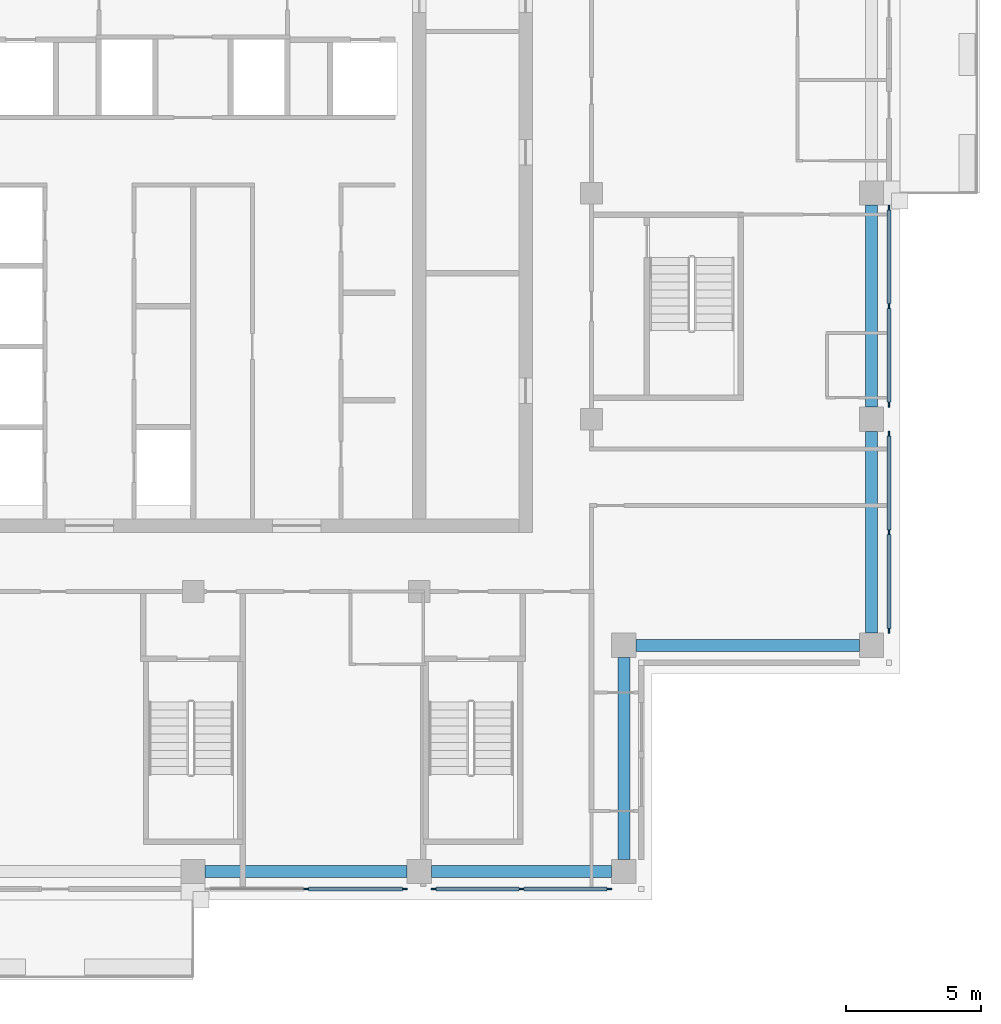
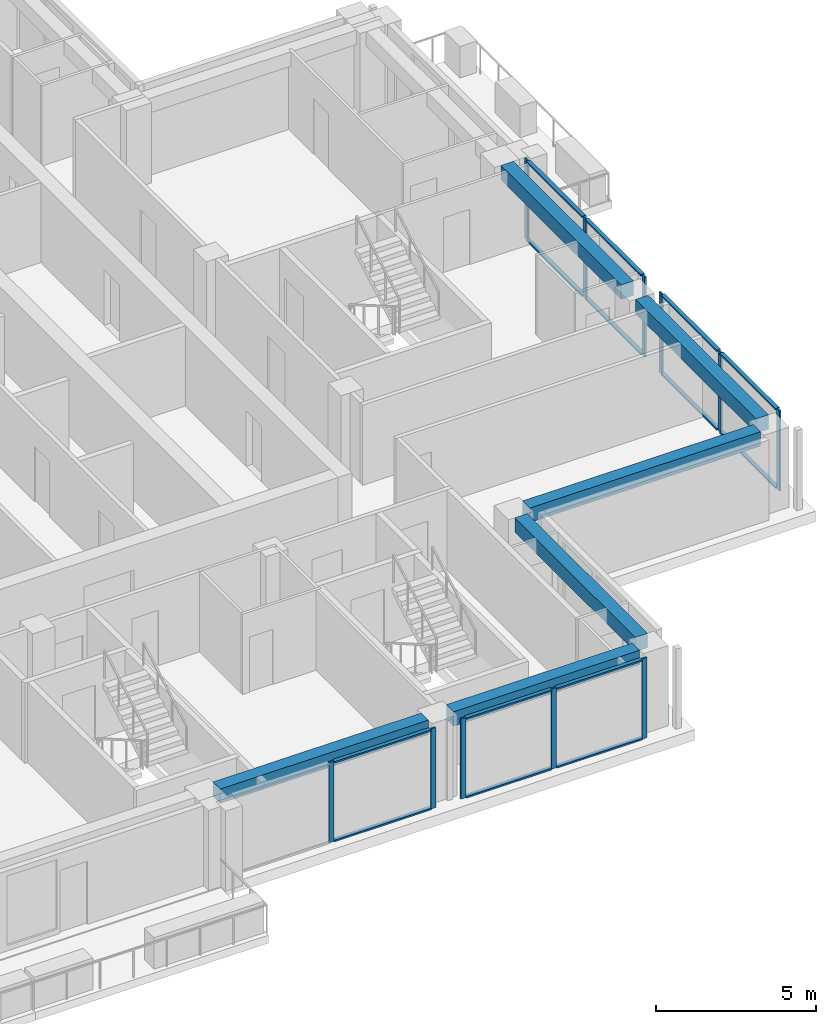
# One storey, part 4 of 15: 25 members, 6 beams, 4 elements without a shape of their own.
"""IFC4 building model written with IfcOpenShell, lengths in metres."""

from ifc_helpers import new_model, si_unit, direction, frame, origin, origin_2d, place, context, subcontext, project, spatial, rectangle, extrude, material, material_profile, profile_set, type_object, element, aggregate, save


model = new_model("IFC4")

# Units and contexts
model_context = context("Model", 3, precision=1e-05, world=origin(), true_north=direction((0.0, 1.0)))
body_context = subcontext(model_context, "Body", "Model", "MODEL_VIEW")
ifc_project = project(units=[si_unit("LENGTHUNIT", "METRE"), si_unit("AREAUNIT", "SQUARE_METRE"), si_unit("VOLUMEUNIT", "CUBIC_METRE"), si_unit("PLANEANGLEUNIT", "RADIAN"), si_unit("MASSUNIT", "GRAM", prefix="KILO")], contexts=[model_context])

# Site, building, storey
site_placement = place(None, origin())
site = spatial("IfcSite", under=ifc_project, at=site_placement, CompositionType="ELEMENT")
building_placement = place(site_placement, origin())
building = spatial("IfcBuilding", under=site, at=building_placement, Name="Vermilion Ogive Tower", CompositionType="ELEMENT")
storey_placement = place(building_placement, frame((0.0, 0.0, 237.25)))
storey = spatial("IfcBuildingStorey", under=building, at=storey_placement, Name="L62", CompositionType="ELEMENT", Elevation=237.25)

# Curtain wall, members
ifc_material_1 = material(Name="Low-iron laminated glazing in aluminium frame", Category="aluminium")
curtain_wall_type = type_object("IfcCurtainWallType", Name="Curtain wall CW7", PredefinedType="NOTDEFINED", material=ifc_material_1)
curtain_wall_1_placement = place(storey_placement, origin())
curtain_wall_1 = element("IfcCurtainWall", 1, at=curtain_wall_1_placement, inside=storey, type_object=curtain_wall_type, Name="Glazed skin S3", PredefinedType="NOTDEFINED")
ifc_material_2 = material(Name="Aluminium mullion", Category="aluminium")
ifc_material_profile_1 = material_profile(ifc_material_2, rectangle(XDim=0.06005859375, YDim=0.179931640625, at=origin_2d()), Name="AL 60x180")
ifc_profile_set_1 = profile_set([ifc_material_profile_1], Name="Aluminium mullion")
member_type_1 = type_object("IfcMemberType", Name="CW7 mullion 60x180", PredefinedType="MULLION", material=ifc_profile_set_1)
member_1_placement = place(storey_placement, frame((4.199951171875, -21.64990234375, 0.0), z_axis=(0.0, 0.0, 1.0), x_axis=(0.0, 1.0, 0.0)))
member_1 = element("IfcMember", 2, at=member_1_placement, type_object=member_type_1, Name="CW7-S3 mullion 2", PredefinedType="MULLION", context=body_context, shape_type="SweptSolid", body=[
    extrude(rectangle(XDim=0.06005859375, YDim=0.179931640625, at=origin_2d()), origin(), (0.0, 0.0, 1.0), 3.050048828125),
])
member_2_placement = place(storey_placement, frame((7.860107421875, -21.64990234375, 0.0), z_axis=(0.0, 0.0, 1.0), x_axis=(0.0, 1.0, 0.0)))
member_2 = element("IfcMember", 3, at=member_2_placement, type_object=member_type_1, Name="CW7-S3 mullion 3", PredefinedType="MULLION", context=body_context, shape_type="SweptSolid", body=[
    extrude(rectangle(XDim=0.06005859375, YDim=0.179931640625, at=origin_2d()), origin(), (0.0, 0.0, 1.0), 3.050048828125),
])

curtain_wall_2_placement = place(storey_placement, origin())
curtain_wall_2 = element("IfcCurtainWall", 4, at=curtain_wall_2_placement, inside=storey, type_object=curtain_wall_type, Name="Glazed skin S4", PredefinedType="NOTDEFINED")
member_3_placement = place(storey_placement, frame((8.93994140625, -21.64990234375, 0.0), z_axis=(0.0, 0.0, 1.0), x_axis=(0.0, 1.0, 0.0)))
member_3 = element("IfcMember", 5, at=member_3_placement, type_object=member_type_1, Name="CW7-S4 mullion 1", PredefinedType="MULLION", context=body_context, shape_type="SweptSolid", body=[
    extrude(rectangle(XDim=0.06005859375, YDim=0.179931640625, at=origin_2d()), origin(), (0.0, 0.0, 1.0), 3.050048828125),
])
member_4_placement = place(storey_placement, frame((12.199951171875, -21.64990234375, 0.0), z_axis=(0.0, 0.0, 1.0), x_axis=(0.0, 1.0, 0.0)))
member_4 = element("IfcMember", 6, at=member_4_placement, type_object=member_type_1, Name="CW7-S4 mullion 2", PredefinedType="MULLION", context=body_context, shape_type="SweptSolid", body=[
    extrude(rectangle(XDim=0.06005859375, YDim=0.179931640625, at=origin_2d()), origin(), (0.0, 0.0, 1.0), 3.050048828125),
])
member_5_placement = place(storey_placement, frame((15.4599609375, -21.64990234375, 0.0), z_axis=(0.0, 0.0, 1.0), x_axis=(0.0, 1.0, 0.0)))
member_5 = element("IfcMember", 7, at=member_5_placement, type_object=member_type_1, Name="CW7-S4 mullion 3", PredefinedType="MULLION", context=body_context, shape_type="SweptSolid", body=[
    extrude(rectangle(XDim=0.06005859375, YDim=0.179931640625, at=origin_2d()), origin(), (0.0, 0.0, 1.0), 3.050048828125),
])

curtain_wall_3_placement = place(storey_placement, origin())
curtain_wall_3 = element("IfcCurtainWall", 8, at=curtain_wall_3_placement, inside=storey, type_object=curtain_wall_type, Name="Glazed skin E1", PredefinedType="NOTDEFINED")
member_6_placement = place(storey_placement, frame((25.85009765625, -12.06005859375, 0.0), z_axis=(0.0, 0.0, 1.0), x_axis=(-1.0, 0.0, 0.0)))
member_6 = element("IfcMember", 9, at=member_6_placement, type_object=member_type_1, Name="CW7-E1 mullion 1", PredefinedType="MULLION", context=body_context, shape_type="SweptSolid", body=[
    extrude(rectangle(XDim=0.06005859375, YDim=0.179931640625, at=origin_2d()), origin(), (0.0, 0.0, 1.0), 3.050048828125),
])
member_7_placement = place(storey_placement, frame((25.85009765625, -8.39990234375, 0.0), z_axis=(0.0, 0.0, 1.0), x_axis=(-1.0, 0.0, 0.0)))
member_7 = element("IfcMember", 10, at=member_7_placement, type_object=member_type_1, Name="CW7-E1 mullion 2", PredefinedType="MULLION", context=body_context, shape_type="SweptSolid", body=[
    extrude(rectangle(XDim=0.06005859375, YDim=0.179931640625, at=origin_2d()), origin(), (0.0, 0.0, 1.0), 3.050048828125),
])
member_8_placement = place(storey_placement, frame((25.85009765625, -4.739990234375, 0.0), z_axis=(0.0, 0.0, 1.0), x_axis=(-1.0, 0.0, 0.0)))
member_8 = element("IfcMember", 11, at=member_8_placement, type_object=member_type_1, Name="CW7-E1 mullion 3", PredefinedType="MULLION", context=body_context, shape_type="SweptSolid", body=[
    extrude(rectangle(XDim=0.06005859375, YDim=0.179931640625, at=origin_2d()), origin(), (0.0, 0.0, 1.0), 3.050048828125),
])

curtain_wall_4_placement = place(storey_placement, origin())
curtain_wall_4 = element("IfcCurtainWall", 12, at=curtain_wall_4_placement, inside=storey, type_object=curtain_wall_type, Name="Glazed skin E2", PredefinedType="NOTDEFINED")
member_9_placement = place(storey_placement, frame((25.85009765625, -3.659912109375, 0.0), z_axis=(0.0, 0.0, 1.0), x_axis=(-1.0, 0.0, 0.0)))
member_9 = element("IfcMember", 13, at=member_9_placement, type_object=member_type_1, Name="CW7-E2 mullion 1", PredefinedType="MULLION", context=body_context, shape_type="SweptSolid", body=[
    extrude(rectangle(XDim=0.06005859375, YDim=0.179931640625, at=origin_2d()), origin(), (0.0, 0.0, 1.0), 3.050048828125),
])
member_10_placement = place(storey_placement, frame((25.85009765625, 0.0, 0.0), z_axis=(0.0, 0.0, 1.0), x_axis=(-1.0, 0.0, 0.0)))
member_10 = element("IfcMember", 14, at=member_10_placement, type_object=member_type_1, Name="CW7-E2 mullion 2", PredefinedType="MULLION", context=body_context, shape_type="SweptSolid", body=[
    extrude(rectangle(XDim=0.06005859375, YDim=0.179931640625, at=origin_2d()), origin(), (0.0, 0.0, 1.0), 3.050048828125),
])
member_11_placement = place(storey_placement, frame((25.85009765625, 3.659912109375, 0.0), z_axis=(0.0, 0.0, 1.0), x_axis=(-1.0, 0.0, 0.0)))
member_11 = element("IfcMember", 15, at=member_11_placement, type_object=member_type_1, Name="CW7-E2 mullion 3", PredefinedType="MULLION", context=body_context, shape_type="SweptSolid", body=[
    extrude(rectangle(XDim=0.06005859375, YDim=0.179931640625, at=origin_2d()), origin(), (0.0, 0.0, 1.0), 3.050048828125),
])

# Member
ifc_material_3 = material(Name="Aluminium transom", Category="aluminium")
ifc_material_profile_2 = material_profile(ifc_material_3, rectangle(XDim=0.139892578125, YDim=0.06005859375, at=origin_2d()), Name="AL 60x140")
ifc_profile_set_2 = profile_set([ifc_material_profile_2], Name="Aluminium transom")
member_type_2 = type_object("IfcMemberType", Name="CW7 transom 60x140", PredefinedType="USERDEFINED", material=ifc_profile_set_2)
member_12_placement = place(storey_placement, frame((4.2900390625, -21.64990234375, 0.030029296875), z_axis=(1.0, 0.0, 0.0), x_axis=(0.0, 1.0, 0.0)))
member_12 = element("IfcMember", 16, at=member_12_placement, type_object=member_type_2, Name="CW7-S3 transom 2.1", ObjectType="TRANSOM", PredefinedType="USERDEFINED", context=body_context, shape_type="SweptSolid", body=[
    extrude(rectangle(XDim=0.139892578125, YDim=0.06005859375, at=origin_2d()), origin(), (0.0, 0.0, 1.0), 3.47998046875),
])

member_13_placement = place(storey_placement, frame((4.2900390625, -21.64990234375, 3.02001953125), z_axis=(1.0, 0.0, 0.0), x_axis=(0.0, 1.0, 0.0)))
member_13 = element("IfcMember", 17, at=member_13_placement, type_object=member_type_2, Name="CW7-S3 transom 2.2", ObjectType="TRANSOM", PredefinedType="USERDEFINED", context=body_context, shape_type="SweptSolid", body=[
    extrude(rectangle(XDim=0.139892578125, YDim=0.06005859375, at=origin_2d()), origin(), (0.0, 0.0, 1.0), 3.47998046875),
])

aggregate(curtain_wall_1, [member_1, member_2, member_12, member_13])

member_14_placement = place(storey_placement, frame((9.030029296875, -21.64990234375, 0.030029296875), z_axis=(1.0, 0.0, 0.0), x_axis=(0.0, 1.0, 0.0)))
member_14 = element("IfcMember", 18, at=member_14_placement, type_object=member_type_2, Name="CW7-S4 transom 1.1", ObjectType="TRANSOM", PredefinedType="USERDEFINED", context=body_context, shape_type="SweptSolid", body=[
    extrude(rectangle(XDim=0.139892578125, YDim=0.06005859375, at=origin_2d()), origin(), (0.0, 0.0, 1.0), 3.080078125),
])

member_15_placement = place(storey_placement, frame((9.030029296875, -21.64990234375, 3.02001953125), z_axis=(1.0, 0.0, 0.0), x_axis=(0.0, 1.0, 0.0)))
member_15 = element("IfcMember", 19, at=member_15_placement, type_object=member_type_2, Name="CW7-S4 transom 1.2", ObjectType="TRANSOM", PredefinedType="USERDEFINED", context=body_context, shape_type="SweptSolid", body=[
    extrude(rectangle(XDim=0.139892578125, YDim=0.06005859375, at=origin_2d()), origin(), (0.0, 0.0, 1.0), 3.080078125),
])

member_16_placement = place(storey_placement, frame((12.2900390625, -21.64990234375, 0.030029296875), z_axis=(1.0, 0.0, 0.0), x_axis=(0.0, 1.0, 0.0)))
member_16 = element("IfcMember", 20, at=member_16_placement, type_object=member_type_2, Name="CW7-S4 transom 2.1", ObjectType="TRANSOM", PredefinedType="USERDEFINED", context=body_context, shape_type="SweptSolid", body=[
    extrude(rectangle(XDim=0.139892578125, YDim=0.06005859375, at=origin_2d()), origin(), (0.0, 0.0, 1.0), 3.080078125),
])

member_17_placement = place(storey_placement, frame((12.2900390625, -21.64990234375, 3.02001953125), z_axis=(1.0, 0.0, 0.0), x_axis=(0.0, 1.0, 0.0)))
member_17 = element("IfcMember", 21, at=member_17_placement, type_object=member_type_2, Name="CW7-S4 transom 2.2", ObjectType="TRANSOM", PredefinedType="USERDEFINED", context=body_context, shape_type="SweptSolid", body=[
    extrude(rectangle(XDim=0.139892578125, YDim=0.06005859375, at=origin_2d()), origin(), (0.0, 0.0, 1.0), 3.080078125),
])

aggregate(curtain_wall_2, [member_3, member_4, member_5, member_14, member_15, member_16, member_17])

member_18_placement = place(storey_placement, frame((25.85009765625, -11.969970703125, 0.030029296875), z_axis=(0.0, 1.0, 0.0), x_axis=(-1.0, 0.0, 0.0)))
member_18 = element("IfcMember", 22, at=member_18_placement, type_object=member_type_2, Name="CW7-E1 transom 1.1", ObjectType="TRANSOM", PredefinedType="USERDEFINED", context=body_context, shape_type="SweptSolid", body=[
    extrude(rectangle(XDim=0.139892578125, YDim=0.06005859375, at=origin_2d()), origin(), (0.0, 0.0, 1.0), 3.47998046875),
])

member_19_placement = place(storey_placement, frame((25.85009765625, -11.969970703125, 3.02001953125), z_axis=(0.0, 1.0, 0.0), x_axis=(-1.0, 0.0, 0.0)))
member_19 = element("IfcMember", 23, at=member_19_placement, type_object=member_type_2, Name="CW7-E1 transom 1.2", ObjectType="TRANSOM", PredefinedType="USERDEFINED", context=body_context, shape_type="SweptSolid", body=[
    extrude(rectangle(XDim=0.139892578125, YDim=0.06005859375, at=origin_2d()), origin(), (0.0, 0.0, 1.0), 3.47998046875),
])

member_20_placement = place(storey_placement, frame((25.85009765625, -8.31005859375, 0.030029296875), z_axis=(0.0, 1.0, 0.0), x_axis=(-1.0, 0.0, 0.0)))
member_20 = element("IfcMember", 24, at=member_20_placement, type_object=member_type_2, Name="CW7-E1 transom 2.1", ObjectType="TRANSOM", PredefinedType="USERDEFINED", context=body_context, shape_type="SweptSolid", body=[
    extrude(rectangle(XDim=0.139892578125, YDim=0.06005859375, at=origin_2d()), origin(), (0.0, 0.0, 1.0), 3.47998046875),
])

member_21_placement = place(storey_placement, frame((25.85009765625, -8.31005859375, 3.02001953125), z_axis=(0.0, 1.0, 0.0), x_axis=(-1.0, 0.0, 0.0)))
member_21 = element("IfcMember", 25, at=member_21_placement, type_object=member_type_2, Name="CW7-E1 transom 2.2", ObjectType="TRANSOM", PredefinedType="USERDEFINED", context=body_context, shape_type="SweptSolid", body=[
    extrude(rectangle(XDim=0.139892578125, YDim=0.06005859375, at=origin_2d()), origin(), (0.0, 0.0, 1.0), 3.47998046875),
])

aggregate(curtain_wall_3, [member_6, member_7, member_8, member_18, member_19, member_20, member_21])

member_22_placement = place(storey_placement, frame((25.85009765625, -3.570068359375, 0.030029296875), z_axis=(0.0, 1.0, 0.0), x_axis=(-1.0, 0.0, 0.0)))
member_22 = element("IfcMember", 26, at=member_22_placement, type_object=member_type_2, Name="CW7-E2 transom 1.1", ObjectType="TRANSOM", PredefinedType="USERDEFINED", context=body_context, shape_type="SweptSolid", body=[
    extrude(rectangle(XDim=0.139892578125, YDim=0.06005859375, at=origin_2d()), origin(), (0.0, 0.0, 1.0), 3.47998046875),
])

member_23_placement = place(storey_placement, frame((25.85009765625, -3.570068359375, 3.02001953125), z_axis=(0.0, 1.0, 0.0), x_axis=(-1.0, 0.0, 0.0)))
member_23 = element("IfcMember", 27, at=member_23_placement, type_object=member_type_2, Name="CW7-E2 transom 1.2", ObjectType="TRANSOM", PredefinedType="USERDEFINED", context=body_context, shape_type="SweptSolid", body=[
    extrude(rectangle(XDim=0.139892578125, YDim=0.06005859375, at=origin_2d()), origin(), (0.0, 0.0, 1.0), 3.47998046875),
])

member_24_placement = place(storey_placement, frame((25.85009765625, 0.090087890625, 0.030029296875), z_axis=(0.0, 1.0, 0.0), x_axis=(-1.0, 0.0, 0.0)))
member_24 = element("IfcMember", 28, at=member_24_placement, type_object=member_type_2, Name="CW7-E2 transom 2.1", ObjectType="TRANSOM", PredefinedType="USERDEFINED", context=body_context, shape_type="SweptSolid", body=[
    extrude(rectangle(XDim=0.139892578125, YDim=0.06005859375, at=origin_2d()), origin(), (0.0, 0.0, 1.0), 3.47998046875),
])

member_25_placement = place(storey_placement, frame((25.85009765625, 0.090087890625, 3.02001953125), z_axis=(0.0, 1.0, 0.0), x_axis=(-1.0, 0.0, 0.0)))
member_25 = element("IfcMember", 29, at=member_25_placement, type_object=member_type_2, Name="CW7-E2 transom 2.2", ObjectType="TRANSOM", PredefinedType="USERDEFINED", context=body_context, shape_type="SweptSolid", body=[
    extrude(rectangle(XDim=0.139892578125, YDim=0.06005859375, at=origin_2d()), origin(), (0.0, 0.0, 1.0), 3.47998046875),
])

aggregate(curtain_wall_4, [member_9, member_10, member_11, member_22, member_23, member_24, member_25])

# Beams
ifc_material_4 = material(Name="Concrete B45", Category="concrete")
ifc_material_profile_3 = material_profile(ifc_material_4, rectangle(XDim=0.449951171875, YDim=0.550048828125, at=origin_2d()), Name="450 x 550")
ifc_profile_set_3 = profile_set([ifc_material_profile_3], Name="Concrete B45")
beam_type = type_object("IfcBeamType", Name="Edge beam 450 x 550 B45", PredefinedType="BEAM", material=ifc_profile_set_3)
beam_1_placement = place(storey_placement, frame((0.449951171875, -21.0, 2.77490234375), z_axis=(1.0, 0.0, 0.0), x_axis=(0.0, 1.0, 0.0)))
element("IfcBeam", 30, at=beam_1_placement, inside=storey, type_object=beam_type, Name="L62-EB-3", PredefinedType="BEAM", context=body_context, shape_type="SweptSolid", body=[
    extrude(rectangle(XDim=0.449951171875, YDim=0.550048828125, at=origin_2d()), origin(), (0.0, 0.0, 1.0), 7.5),
])
beam_2_placement = place(storey_placement, frame((8.85009765625, -21.0, 2.77490234375), z_axis=(1.0, 0.0, 0.0), x_axis=(0.0, 1.0, 0.0)))
element("IfcBeam", 31, at=beam_2_placement, inside=storey, type_object=beam_type, Name="L62-EB-4", PredefinedType="BEAM", context=body_context, shape_type="SweptSolid", body=[
    extrude(rectangle(XDim=0.449951171875, YDim=0.550048828125, at=origin_2d()), origin(), (0.0, 0.0, 1.0), 6.699951171875),
])
beam_3_placement = place(storey_placement, frame((16.0, -20.550048828125, 2.77490234375), z_axis=(0.0, 1.0, 0.0), x_axis=(-1.0, 0.0, 0.0)))
element("IfcBeam", 32, at=beam_3_placement, inside=storey, type_object=beam_type, Name="L62-EB-5", PredefinedType="BEAM", context=body_context, shape_type="SweptSolid", body=[
    extrude(rectangle(XDim=0.449951171875, YDim=0.550048828125, at=origin_2d()), origin(), (0.0, 0.0, 1.0), 7.5),
])
beam_4_placement = place(storey_placement, frame((16.449951171875, -12.60009765625, 2.77490234375), z_axis=(1.0, 0.0, 0.0), x_axis=(0.0, 1.0, 0.0)))
element("IfcBeam", 33, at=beam_4_placement, inside=storey, type_object=beam_type, Name="L62-EB-6", PredefinedType="BEAM", context=body_context, shape_type="SweptSolid", body=[
    extrude(rectangle(XDim=0.449951171875, YDim=0.550048828125, at=origin_2d()), origin(), (0.0, 0.0, 1.0), 8.300048828125),
])
for number, where, z_axis, x_axis, name in (
    (34, (25.199951171875, -12.14990234375, 2.77490234375), (0.0, 1.0, 0.0), (-1.0, 0.0, 0.0), "L62-EB-7"),
    (35, (25.199951171875, -3.75, 2.77490234375), (0.0, 1.0, 0.0), (-1.0, 0.0, 0.0), "L62-EB-8"),
):
    element("IfcBeam", number, at=place(storey_placement, frame(where, z_axis=z_axis, x_axis=x_axis)), inside=storey, type_object=beam_type, Name=name, PredefinedType="BEAM", context=body_context, shape_type="SweptSolid", body=[
        extrude(rectangle(XDim=0.449951171875, YDim=0.550048828125, at=origin_2d()), origin(), (0.0, 0.0, 1.0), 7.5),
    ])

save(model, "model.ifc")
